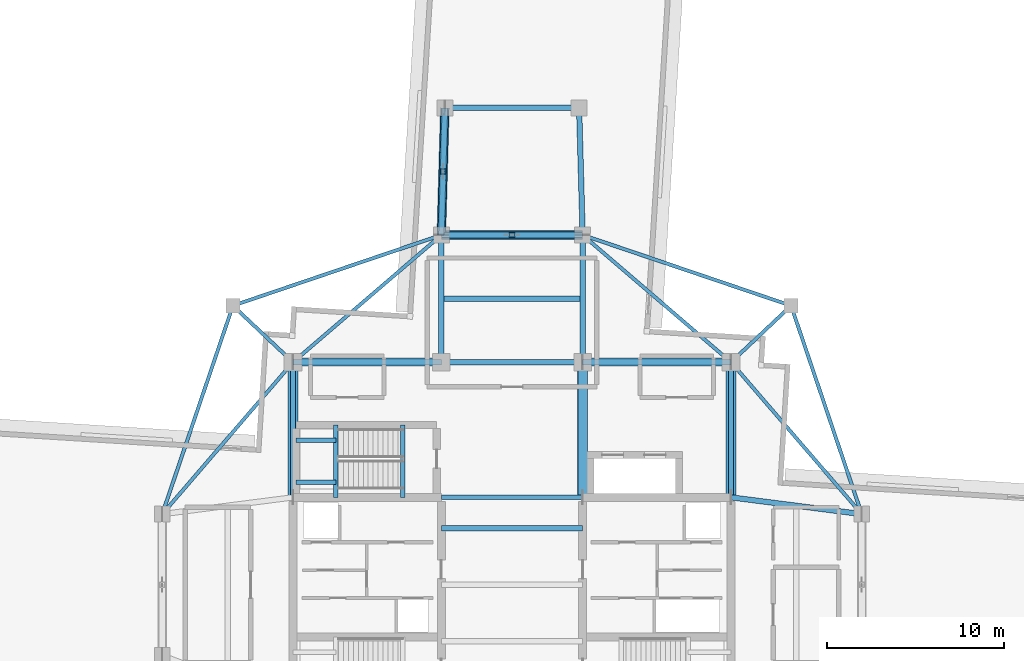
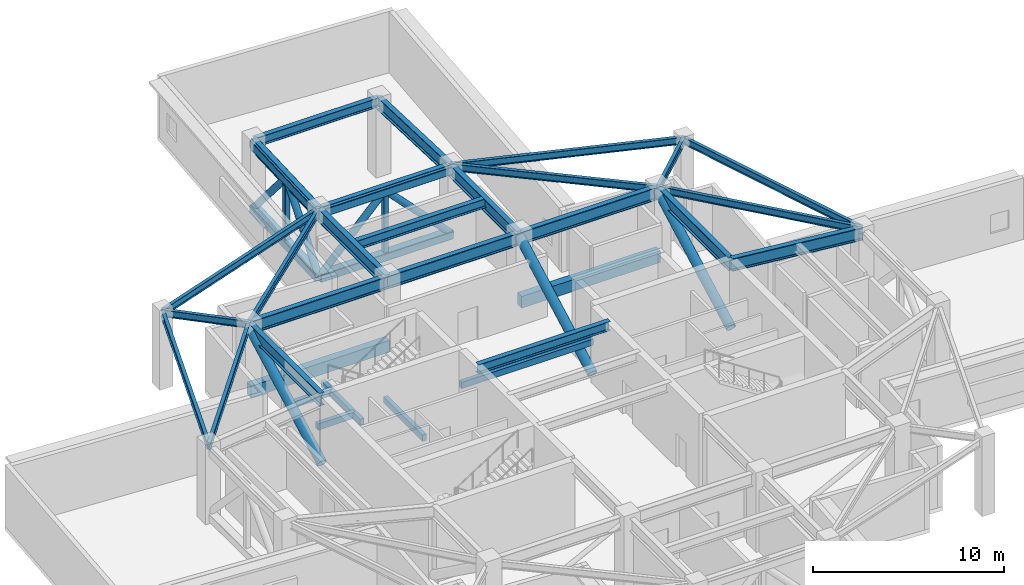
# One storey, part 4 of 14: 31 beams, 13 members.
"""IFC4 building model written with IfcOpenShell, lengths in metres."""

from ifc_helpers import new_model, si_unit, direction, frame, origin, origin_2d, place, context, subcontext, project, spatial, rectangle, hollow_rectangle, hollow_circle, i_section, extrude, material, material_profile, profile_set, type_object, element, save


model = new_model("IFC4")

# Units and contexts
model_context = context("Model", 3, precision=1e-05, world=origin(), true_north=direction((0.0, 1.0)))
body_context = subcontext(model_context, "Body", "Model", "MODEL_VIEW")
ifc_project = project(units=[si_unit("LENGTHUNIT", "METRE"), si_unit("AREAUNIT", "SQUARE_METRE"), si_unit("VOLUMEUNIT", "CUBIC_METRE"), si_unit("PLANEANGLEUNIT", "RADIAN"), si_unit("MASSUNIT", "GRAM", prefix="KILO")], contexts=[model_context])

# Site, building, storey
site_placement = place(None, origin())
site = spatial("IfcSite", under=ifc_project, at=site_placement, CompositionType="ELEMENT")
building_placement = place(site_placement, origin())
building = spatial("IfcBuilding", under=site, at=building_placement, Name="Qingluan Cross Belvedere", CompositionType="ELEMENT")
storey_placement = place(building_placement, frame((0.0, 0.0, 240.300048828125)))
storey = spatial("IfcBuildingStorey", under=building, at=storey_placement, Name="L60", CompositionType="ELEMENT", Elevation=240.300048828125)

# Beams
ifc_material_1 = material(Name="Concrete C45", Category="concrete")
ifc_material_profile_1 = material_profile(ifc_material_1, rectangle(XDim=0.25, YDim=0.39990234375, at=origin_2d()), Name="RC250x400")
ifc_profile_set_1 = profile_set([ifc_material_profile_1], Name="Concrete C45")
beam_type_1 = type_object("IfcBeamType", Name="RC_Lintel_RC250x400", PredefinedType="LINTEL", material=ifc_profile_set_1)
for number, where, z_axis, x_axis, name in (
    (1, (-6.179931640625, 4.949951171875, -0.199951171875), (0.0, 1.0, 0.0), (-1.0, 0.0, 0.0), "Stair ST3 landing beam L60"),
    (2, (-9.969970703125, 4.949951171875, 2.14990234375), (0.0, 1.0, 0.0), (-1.0, 0.0, 0.0), "Stair ST3 beam A L60"),
):
    element("IfcBeam", number, at=place(storey_placement, frame(where, z_axis=z_axis, x_axis=x_axis)), inside=storey, type_object=beam_type_1, Name=name, PredefinedType="LINTEL", context=body_context, shape_type="SweptSolid", body=[
        extrude(rectangle(XDim=0.25, YDim=0.39990234375, at=origin_2d()), origin(), (0.0, 0.0, 1.0), 4.090087890625),
    ])
for number, where, z_axis, x_axis, name in (
    (3, (-12.219970703125, 5.800048828125, 2.14990234375), (1.0, 0.0, 0.0), (0.0, 1.0, 0.0), "Stair ST3 beam B L60"),
    (4, (-12.219970703125, 8.18994140625, 2.14990234375), (1.0, 0.0, 0.0), (0.0, 1.0, 0.0), "Stair ST3 beam C L60"),
):
    element("IfcBeam", number, at=place(storey_placement, frame(where, z_axis=z_axis, x_axis=x_axis)), inside=storey, type_object=beam_type_1, Name=name, PredefinedType="LINTEL", context=body_context, shape_type="SweptSolid", body=[
        extrude(rectangle(XDim=0.25, YDim=0.39990234375, at=origin_2d()), origin(), (0.0, 0.0, 1.0), 2.25),
    ])
beam_1_placement = place(storey_placement, frame((-4.0, 4.949951171875, 2.449951171875), z_axis=(1.0, 0.0, 0.0), x_axis=(0.0, 1.0, 0.0)))
element("IfcBeam", 5, at=beam_1_placement, inside=storey, type_object=beam_type_1, Name="Core coupling lintel beam L60", PredefinedType="LINTEL", context=body_context, shape_type="SweptSolid", body=[
    extrude(rectangle(XDim=0.25, YDim=0.39990234375, at=origin_2d()), origin(), (0.0, 0.0, 1.0), 8.0),
])
ifc_material_2 = material(Name="Concrete C45", Category="concrete")
ifc_material_profile_2 = material_profile(ifc_material_2, rectangle(XDim=0.449951171875, YDim=0.75, at=origin_2d()), Name="RC450x750")
ifc_profile_set_2 = profile_set([ifc_material_profile_2], Name="Concrete C45")
beam_type_2 = type_object("IfcBeamType", Name="RC_Spandrel_RC450x750", PredefinedType="SPANDREL", material=ifc_profile_set_2)
for number, where, z_axis, x_axis, name in (
    (6, (-12.39990234375, 12.60009765625, 0.39990234375), (1.0, 0.0, 0.0), (0.0, 1.0, 0.0), "Perimeter RC spandrel beam L60-NW"),
    (7, (4.0, 12.60009765625, 0.39990234375), (1.0, 0.0, 0.0), (0.0, 1.0, 0.0), "Perimeter RC spandrel beam L60-NE"),
):
    element("IfcBeam", number, at=place(storey_placement, frame(where, z_axis=z_axis, x_axis=x_axis)), inside=storey, type_object=beam_type_2, Name=name, PredefinedType="SPANDREL", context=body_context, shape_type="SweptSolid", body=[
        extrude(rectangle(XDim=0.449951171875, YDim=0.75, at=origin_2d()), origin(), (0.0, 0.0, 1.0), 8.39990234375),
    ])

# Members
ifc_material_3 = material(Name="Steel Q420GJB", Category="steel")
ifc_material_profile_3 = material_profile(ifc_material_3, hollow_circle(Radius=0.202880859375, WallThickness=0.01806640625, at=origin_2d()), Name="CHS406x18")
ifc_profile_set_3 = profile_set([ifc_material_profile_3], Name="Steel Q420GJB")
member_type_1 = type_object("IfcMemberType", Name="SteelMember_BRACE_CHS406x18", PredefinedType="BRACE", material=ifc_profile_set_3)
for number, where, z_axis, x_axis, name in (
    (8, (-4.0, 19.800048828125, 0.349853515625), (0.6939623188, 0.0, 0.720011319415), (0.0, 1.0, 0.0), "Belt truss diagonal A L60-N"),
    (9, (4.0, 19.800048828125, 0.349853515625), (-0.6939623188, 0.0, 0.720011319415), (0.0, -1.0, 0.0), "Belt truss diagonal B L60-N"),
):
    element("IfcMember", number, at=place(storey_placement, frame(where, z_axis=z_axis, x_axis=x_axis)), inside=storey, type_object=member_type_1, Name=name, PredefinedType="BRACE", context=body_context, shape_type="SweptSolid", body=[
        extrude(hollow_circle(Radius=0.202880859375, WallThickness=0.01806640625, at=origin_2d()), origin(), (0.0, 0.0, 1.0), 5.763916015625),
    ])
for number, where, z_axis, x_axis, name in (
    (10, (-4.0, 19.800048828125, 0.349853515625), (0.018216841159, 0.655139811939, 0.755288006995), (-0.999613636213, 0.027795292699, 0.0), "Belt truss diagonal A L60-NN"),
    (11, (-3.800048828125, 27.0, 0.349853515625), (-0.018171895558, -0.655165701478, 0.755266632268), (0.999615569646, -0.027725672588, 0.0), "Belt truss diagonal B L60-NN"),
):
    element("IfcMember", number, at=place(storey_placement, frame(where, z_axis=z_axis, x_axis=x_axis)), inside=storey, type_object=member_type_1, Name=name, PredefinedType="BRACE", context=body_context, shape_type="SweptSolid", body=[
        extrude(hollow_circle(Radius=0.202880859375, WallThickness=0.01806640625, at=origin_2d()), origin(), (0.0, 0.0, 1.0), 5.494873046875),
    ])
ifc_material_4 = material(Name="Steel Q420GJB", Category="steel")
ifc_material_profile_4 = material_profile(ifc_material_4, hollow_circle(Radius=0.279541015625, WallThickness=0.02490234375, at=origin_2d()), Name="CHS559x25")
ifc_profile_set_4 = profile_set([ifc_material_profile_4], Name="Steel Q420GJB")
member_type_2 = type_object("IfcMemberType", Name="SteelMember_BRACE_CHS559x25", PredefinedType="BRACE", material=ifc_profile_set_4)
for number, where, z_axis, x_axis, name in (
    (12, (-12.39990234375, 4.949951171875, 0.349853515625), (0.0, 0.878987816682, 0.476844228364), (-1.0, 0.0, 0.0), "Outrigger truss diagonal L60-OWN"),
    (13, (12.39990234375, 4.949951171875, 0.349853515625), (0.0, 0.878987816682, 0.476844228364), (-1.0, 0.0, 0.0), "Outrigger truss diagonal L60-OEN"),
    (14, (4.0, 4.949951171875, 0.349853515625), (0.0, 0.878987816682, 0.476844228364), (-1.0, 0.0, 0.0), "Outrigger truss diagonal L60-OCE"),
):
    element("IfcMember", number, at=place(storey_placement, frame(where, z_axis=z_axis, x_axis=x_axis)), inside=storey, type_object=member_type_2, Name=name, PredefinedType="BRACE", context=body_context, shape_type="SweptSolid", body=[
        extrude(hollow_circle(Radius=0.279541015625, WallThickness=0.02490234375, at=origin_2d()), origin(), (0.0, 0.0, 1.0), 8.703369140625),
    ])
ifc_material_5 = material(Name="Steel Q420GJB", Category="steel")
ifc_material_profile_5 = material_profile(ifc_material_5, hollow_rectangle(XDim=0.5, YDim=0.5, WallThickness=0.02490234375, InnerFilletRadius=0.02490234375, OuterFilletRadius=0.050048828125, at=origin_2d()), Name="RHS500x500x25")
ifc_profile_set_5 = profile_set([ifc_material_profile_5], Name="Steel Q420GJB")
member_type_3 = type_object("IfcMemberType", Name="SteelMember_CHORD_RHS500x500x25", PredefinedType="CHORD", material=ifc_profile_set_5)
for number, where, z_axis, x_axis, name in (
    (15, (-4.0, 19.800048828125, 0.349853515625), (1.0, 0.0, 0.0), (0.0, 1.0, 0.0), "Belt truss bottom chord L60-N"),
    (16, (-4.0, 19.800048828125, 4.5), (1.0, 0.0, 0.0), (0.0, 1.0, 0.0), "Belt truss top chord L60-N"),
):
    element("IfcMember", number, at=place(storey_placement, frame(where, z_axis=z_axis, x_axis=x_axis)), inside=storey, type_object=member_type_3, Name=name, PredefinedType="CHORD", context=body_context, shape_type="SweptSolid", body=[
        extrude(hollow_rectangle(XDim=0.5, YDim=0.5, WallThickness=0.02490234375, InnerFilletRadius=0.02490234375, OuterFilletRadius=0.050048828125, at=origin_2d()), origin(), (0.0, 0.0, 1.0), 8.0),
    ])
for number, where, z_axis, x_axis, name in (
    (17, (-4.0, 19.800048828125, 0.349853515625), (0.027760481514, 0.999614603568, 0.0), (-0.999614603568, 0.027760481514, 0.0), "Belt truss bottom chord L60-NN"),
    (18, (-4.0, 19.800048828125, 4.5), (0.027760481514, 0.999614603568, 0.0), (-0.999614603568, 0.027760481514, 0.0), "Belt truss top chord L60-NN"),
):
    element("IfcMember", number, at=place(storey_placement, frame(where, z_axis=z_axis, x_axis=x_axis)), inside=storey, type_object=member_type_3, Name=name, PredefinedType="CHORD", context=body_context, shape_type="SweptSolid", body=[
        extrude(hollow_rectangle(XDim=0.5, YDim=0.5, WallThickness=0.02490234375, InnerFilletRadius=0.02490234375, OuterFilletRadius=0.050048828125, at=origin_2d()), origin(), (0.0, 0.0, 1.0), 7.20263671875),
    ])
ifc_material_6 = material(Name="Steel Q420GJB", Category="steel")
ifc_material_profile_6 = material_profile(ifc_material_6, hollow_rectangle(XDim=0.300048828125, YDim=0.300048828125, WallThickness=0.01611328125, InnerFilletRadius=0.01611328125, OuterFilletRadius=0.031982421875, at=origin_2d()), Name="RHS300x300x16")
ifc_profile_set_6 = profile_set([ifc_material_profile_6], Name="Steel Q420GJB")
member_type_4 = type_object("IfcMemberType", Name="SteelMember_POST_RHS300x300x16", PredefinedType="POST", material=ifc_profile_set_6)
for number, where, z_axis, x_axis, name in (
    (19, (0.0, 19.800048828125, 0.349853515625), (0.0, 0.0, 1.0), (1.0, 0.0, 0.0), "Belt truss mid-post L60-N"),
    (20, (-3.89990234375, 23.39990234375, 0.349853515625), (0.0, 0.0, 1.0), (1.0, 0.0, 0.0), "Belt truss mid-post L60-NN"),
):
    element("IfcMember", number, at=place(storey_placement, frame(where, z_axis=z_axis, x_axis=x_axis)), inside=storey, type_object=member_type_4, Name=name, PredefinedType="POST", context=body_context, shape_type="SweptSolid", body=[
        extrude(hollow_rectangle(XDim=0.300048828125, YDim=0.300048828125, WallThickness=0.01611328125, InnerFilletRadius=0.01611328125, OuterFilletRadius=0.031982421875, at=origin_2d()), origin(), (0.0, 0.0, 1.0), 4.150146484375),
    ])

# Beams
ifc_material_7 = material(Name="Steel Q420GJB", Category="steel")
ifc_material_profile_7 = material_profile(ifc_material_7, i_section(OverallWidth=0.300048828125, OverallDepth=0.587890625, WebThickness=0.011962890625, FlangeThickness=0.02001953125, FilletRadius=0.02392578125, at=origin_2d()), Name="HM588x300x12x20")
ifc_profile_set_7 = profile_set([ifc_material_profile_7], Name="Steel Q420GJB")
beam_type_3 = type_object("IfcBeamType", Name="Steel_Beam_HM588x300x12x20", PredefinedType="BEAM", material=ifc_profile_set_7)
for number, where, z_axis, x_axis, name in (
    (21, (-4.0, 3.199951171875, 4.555908203125), (1.0, 0.0, 0.0), (0.0, 1.0, 0.0), "Hall beam L60-CH3"),
    (22, (-4.0, 19.800048828125, 4.555908203125), (1.0, 0.0, 0.0), (0.0, 1.0, 0.0), "Arm N tie L60"),
    (23, (-4.0, 16.199951171875, 4.555908203125), (1.0, 0.0, 0.0), (0.0, 1.0, 0.0), "Arm N beam L60"),
):
    element("IfcBeam", number, at=place(storey_placement, frame(where, z_axis=z_axis, x_axis=x_axis)), inside=storey, type_object=beam_type_3, Name=name, PredefinedType="BEAM", context=body_context, shape_type="SweptSolid", body=[
        extrude(i_section(OverallWidth=0.300048828125, OverallDepth=0.587890625, WebThickness=0.011962890625, FlangeThickness=0.02001953125, FilletRadius=0.02392578125, at=origin_2d()), origin(), (0.0, 0.0, 1.0), 8.0),
    ])
beam_2_placement = place(storey_placement, frame((-3.800048828125, 27.0, 4.555908203125), z_axis=(1.0, 0.0, 0.0), x_axis=(0.0, 1.0, 0.0)))
element("IfcBeam", 24, at=beam_2_placement, inside=storey, type_object=beam_type_3, Name="Arm N tip transverse beam L60", PredefinedType="BEAM", context=body_context, shape_type="SweptSolid", body=[
    extrude(i_section(OverallWidth=0.300048828125, OverallDepth=0.587890625, WebThickness=0.011962890625, FlangeThickness=0.02001953125, FilletRadius=0.02392578125, at=origin_2d()), origin(), (0.0, 0.0, 1.0), 7.60009765625),
])
ifc_material_8 = material(Name="Steel Q420GJB", Category="steel")
ifc_material_profile_8 = material_profile(ifc_material_8, i_section(OverallWidth=0.199951171875, OverallDepth=0.449951171875, WebThickness=0.009033203125, FlangeThickness=0.013916015625, FilletRadius=0.01611328125, at=origin_2d()), Name="HN450x200x9x14")
ifc_profile_set_8 = profile_set([ifc_material_profile_8], Name="Steel Q420GJB")
beam_type_4 = type_object("IfcBeamType", Name="Steel_Beam_HN450x200x9x14", PredefinedType="JOIST", material=ifc_profile_set_8)
beam_3_placement = place(storey_placement, frame((12.39990234375, 12.60009765625, 4.625), z_axis=(0.728219948308, 0.685343495546, 0.0), x_axis=(-0.685343495546, 0.728219948308, 0.0)))
element("IfcBeam", 25, at=beam_3_placement, inside=storey, type_object=beam_type_4, Name="Corner beam 1 L60-RNE", PredefinedType="JOIST", context=body_context, shape_type="SweptSolid", body=[
    extrude(i_section(OverallWidth=0.199951171875, OverallDepth=0.449951171875, WebThickness=0.009033203125, FlangeThickness=0.013916015625, FilletRadius=0.01611328125, at=origin_2d()), origin(), (0.0, 0.0, 1.0), 4.669189453125),
])
for number, where, z_axis, x_axis, name in (
    (26, (15.800048828125, 15.800048828125, 4.625), (-0.947066283324, 0.321038089628, 0.0), (-0.321038089628, -0.947066283324, 0.0), "Corner beam 2 L60-RNE"),
    (27, (15.800048828125, 15.800048828125, 4.625), (0.321038089628, -0.947066283324, 0.0), (0.947066283324, 0.321038089628, 0.0), "Corner beam 3 L60-RNE"),
):
    element("IfcBeam", number, at=place(storey_placement, frame(where, z_axis=z_axis, x_axis=x_axis)), inside=storey, type_object=beam_type_4, Name=name, PredefinedType="JOIST", context=body_context, shape_type="SweptSolid", body=[
        extrude(i_section(OverallWidth=0.199951171875, OverallDepth=0.449951171875, WebThickness=0.009033203125, FlangeThickness=0.013916015625, FilletRadius=0.01611328125, at=origin_2d()), origin(), (0.0, 0.0, 1.0), 12.45947265625),
    ])
beam_4_placement = place(storey_placement, frame((12.39990234375, 12.60009765625, 4.625), z_axis=(0.652245077546, -0.75800815221, 0.0), x_axis=(0.75800815221, 0.652245077546, 0.0)))
element("IfcBeam", 28, at=beam_4_placement, inside=storey, type_object=beam_type_4, Name="Corner beam 4 L60-RNE", PredefinedType="JOIST", context=body_context, shape_type="SweptSolid", body=[
    extrude(i_section(OverallWidth=0.199951171875, OverallDepth=0.449951171875, WebThickness=0.009033203125, FlangeThickness=0.013916015625, FilletRadius=0.01611328125, at=origin_2d()), origin(), (0.0, 0.0, 1.0), 11.345703125),
])
beam_5_placement = place(storey_placement, frame((12.39990234375, 12.60009765625, 4.625), z_axis=(-0.759255044656, 0.650793190779, 0.0), x_axis=(-0.650793190779, -0.759255044656, 0.0)))
element("IfcBeam", 29, at=beam_5_placement, inside=storey, type_object=beam_type_4, Name="Corner beam 5 L60-RNE", PredefinedType="JOIST", context=body_context, shape_type="SweptSolid", body=[
    extrude(i_section(OverallWidth=0.199951171875, OverallDepth=0.449951171875, WebThickness=0.009033203125, FlangeThickness=0.013916015625, FilletRadius=0.01611328125, at=origin_2d()), origin(), (0.0, 0.0, 1.0), 11.063232421875),
])
beam_6_placement = place(storey_placement, frame((-12.39990234375, 12.60009765625, 4.625), z_axis=(-0.728219948308, 0.685343495546, 0.0), x_axis=(-0.685343495546, -0.728219948308, 0.0)))
element("IfcBeam", 30, at=beam_6_placement, inside=storey, type_object=beam_type_4, Name="Corner beam 1 L60-RNW", PredefinedType="JOIST", context=body_context, shape_type="SweptSolid", body=[
    extrude(i_section(OverallWidth=0.199951171875, OverallDepth=0.449951171875, WebThickness=0.009033203125, FlangeThickness=0.013916015625, FilletRadius=0.01611328125, at=origin_2d()), origin(), (0.0, 0.0, 1.0), 4.669189453125),
])
for number, where, z_axis, x_axis, name in (
    (31, (-15.800048828125, 15.800048828125, 4.625), (0.947066283324, 0.321038089628, 0.0), (-0.321038089628, 0.947066283324, 0.0), "Corner beam 2 L60-RNW"),
    (32, (-15.800048828125, 15.800048828125, 4.625), (-0.321038089628, -0.947066283324, 0.0), (0.947066283324, -0.321038089628, 0.0), "Corner beam 3 L60-RNW"),
):
    element("IfcBeam", number, at=place(storey_placement, frame(where, z_axis=z_axis, x_axis=x_axis)), inside=storey, type_object=beam_type_4, Name=name, PredefinedType="JOIST", context=body_context, shape_type="SweptSolid", body=[
        extrude(i_section(OverallWidth=0.199951171875, OverallDepth=0.449951171875, WebThickness=0.009033203125, FlangeThickness=0.013916015625, FilletRadius=0.01611328125, at=origin_2d()), origin(), (0.0, 0.0, 1.0), 12.45947265625),
    ])
beam_7_placement = place(storey_placement, frame((-12.39990234375, 12.60009765625, 4.625), z_axis=(-0.652245077546, -0.75800815221, 0.0), x_axis=(0.75800815221, -0.652245077546, 0.0)))
element("IfcBeam", 33, at=beam_7_placement, inside=storey, type_object=beam_type_4, Name="Corner beam 4 L60-RNW", PredefinedType="JOIST", context=body_context, shape_type="SweptSolid", body=[
    extrude(i_section(OverallWidth=0.199951171875, OverallDepth=0.449951171875, WebThickness=0.009033203125, FlangeThickness=0.013916015625, FilletRadius=0.01611328125, at=origin_2d()), origin(), (0.0, 0.0, 1.0), 11.345703125),
])
beam_8_placement = place(storey_placement, frame((-12.39990234375, 12.60009765625, 4.625), z_axis=(0.759255044656, 0.650793190779, 0.0), x_axis=(-0.650793190779, 0.759255044656, 0.0)))
element("IfcBeam", 34, at=beam_8_placement, inside=storey, type_object=beam_type_4, Name="Corner beam 5 L60-RNW", PredefinedType="JOIST", context=body_context, shape_type="SweptSolid", body=[
    extrude(i_section(OverallWidth=0.199951171875, OverallDepth=0.449951171875, WebThickness=0.009033203125, FlangeThickness=0.013916015625, FilletRadius=0.01611328125, at=origin_2d()), origin(), (0.0, 0.0, 1.0), 11.063232421875),
])
ifc_material_9 = material(Name="Steel Q420GJB", Category="steel")
ifc_material_profile_9 = material_profile(ifc_material_9, i_section(OverallWidth=0.305908203125, OverallDepth=0.81396484375, WebThickness=0.02099609375, FlangeThickness=0.0400390625, FilletRadius=0.030029296875, at=origin_2d()), Name="HEM800")
ifc_profile_set_9 = profile_set([ifc_material_profile_9], Name="Steel Q420GJB")
beam_type_5 = type_object("IfcBeamType", Name="Steel_Girder_HEM800", PredefinedType="USERDEFINED", material=ifc_profile_set_9)
beam_9_placement = place(storey_placement, frame((-12.39990234375, 12.60009765625, 4.44287109375), z_axis=(1.0, 0.0, 0.0), x_axis=(0.0, 1.0, 0.0)))
element("IfcBeam", 35, at=beam_9_placement, inside=storey, type_object=beam_type_5, Name="Hub girder L60-HG-N1", ObjectType="GIRDER", PredefinedType="USERDEFINED", context=body_context, shape_type="SweptSolid", body=[
    extrude(i_section(OverallWidth=0.305908203125, OverallDepth=0.81396484375, WebThickness=0.02099609375, FlangeThickness=0.0400390625, FilletRadius=0.030029296875, at=origin_2d()), origin(), (0.0, 0.0, 1.0), 8.39990234375),
])
beam_10_placement = place(storey_placement, frame((-4.0, 12.60009765625, 4.44287109375), z_axis=(1.0, 0.0, 0.0), x_axis=(0.0, 1.0, 0.0)))
element("IfcBeam", 36, at=beam_10_placement, inside=storey, type_object=beam_type_5, Name="Hub girder L60-HG-N2", ObjectType="GIRDER", PredefinedType="USERDEFINED", context=body_context, shape_type="SweptSolid", body=[
    extrude(i_section(OverallWidth=0.305908203125, OverallDepth=0.81396484375, WebThickness=0.02099609375, FlangeThickness=0.0400390625, FilletRadius=0.030029296875, at=origin_2d()), origin(), (0.0, 0.0, 1.0), 8.0),
])
beam_11_placement = place(storey_placement, frame((4.0, 12.60009765625, 4.44287109375), z_axis=(1.0, 0.0, 0.0), x_axis=(0.0, 1.0, 0.0)))
element("IfcBeam", 37, at=beam_11_placement, inside=storey, type_object=beam_type_5, Name="Hub girder L60-HG-N3", ObjectType="GIRDER", PredefinedType="USERDEFINED", context=body_context, shape_type="SweptSolid", body=[
    extrude(i_section(OverallWidth=0.305908203125, OverallDepth=0.81396484375, WebThickness=0.02099609375, FlangeThickness=0.0400390625, FilletRadius=0.030029296875, at=origin_2d()), origin(), (0.0, 0.0, 1.0), 8.39990234375),
])
for number, where, z_axis, x_axis, name in (
    (38, (-12.39990234375, 4.949951171875, 4.44287109375), (0.0, 1.0, 0.0), (-1.0, 0.0, 0.0), "Hub girder L60-HG-W2"),
    (39, (12.39990234375, 4.949951171875, 4.44287109375), (0.0, 1.0, 0.0), (-1.0, 0.0, 0.0), "Hub girder L60-HG-E2"),
):
    element("IfcBeam", number, at=place(storey_placement, frame(where, z_axis=z_axis, x_axis=x_axis)), inside=storey, type_object=beam_type_5, Name=name, ObjectType="GIRDER", PredefinedType="USERDEFINED", context=body_context, shape_type="SweptSolid", body=[
        extrude(i_section(OverallWidth=0.305908203125, OverallDepth=0.81396484375, WebThickness=0.02099609375, FlangeThickness=0.0400390625, FilletRadius=0.030029296875, at=origin_2d()), origin(), (0.0, 0.0, 1.0), 7.650146484375),
    ])
beam_12_placement = place(storey_placement, frame((12.39990234375, 4.949951171875, 4.44287109375), z_axis=(0.991861120628, -0.12732445714, 0.0), x_axis=(0.12732445714, 0.991861120628, 0.0)))
element("IfcBeam", 40, at=beam_12_placement, inside=storey, type_object=beam_type_5, Name="Arm E radial girder B L60", ObjectType="GIRDER", PredefinedType="USERDEFINED", context=body_context, shape_type="SweptSolid", body=[
    extrude(i_section(OverallWidth=0.305908203125, OverallDepth=0.81396484375, WebThickness=0.02099609375, FlangeThickness=0.0400390625, FilletRadius=0.030029296875, at=origin_2d()), origin(), (0.0, 0.0, 1.0), 7.4609375),
])
for number, where, z_axis, x_axis, name in (
    (41, (-4.0, 12.60009765625, 4.44287109375), (0.0, 1.0, 0.0), (-1.0, 0.0, 0.0), "Arm N radial girder A L60"),
    (42, (4.0, 12.60009765625, 4.44287109375), (0.0, 1.0, 0.0), (-1.0, 0.0, 0.0), "Arm N radial girder B L60"),
):
    element("IfcBeam", number, at=place(storey_placement, frame(where, z_axis=z_axis, x_axis=x_axis)), inside=storey, type_object=beam_type_5, Name=name, ObjectType="GIRDER", PredefinedType="USERDEFINED", context=body_context, shape_type="SweptSolid", body=[
        extrude(i_section(OverallWidth=0.305908203125, OverallDepth=0.81396484375, WebThickness=0.02099609375, FlangeThickness=0.0400390625, FilletRadius=0.030029296875, at=origin_2d()), origin(), (0.0, 0.0, 1.0), 7.199951171875),
    ])
for number, where, z_axis, x_axis, name in (
    (43, (-4.0, 19.800048828125, 4.44287109375), (0.027760481514, 0.999614603568, 0.0), (-0.999614603568, 0.027760481514, 0.0), "Arm N outer radial girder A L60"),
    (44, (4.0, 19.800048828125, 4.44287109375), (-0.027760481514, 0.999614603568, 0.0), (-0.999614603568, -0.027760481514, 0.0), "Arm N outer radial girder B L60"),
):
    element("IfcBeam", number, at=place(storey_placement, frame(where, z_axis=z_axis, x_axis=x_axis)), inside=storey, type_object=beam_type_5, Name=name, ObjectType="GIRDER", PredefinedType="USERDEFINED", context=body_context, shape_type="SweptSolid", body=[
        extrude(i_section(OverallWidth=0.305908203125, OverallDepth=0.81396484375, WebThickness=0.02099609375, FlangeThickness=0.0400390625, FilletRadius=0.030029296875, at=origin_2d()), origin(), (0.0, 0.0, 1.0), 7.20263671875),
    ])

save(model, "model.ifc")
